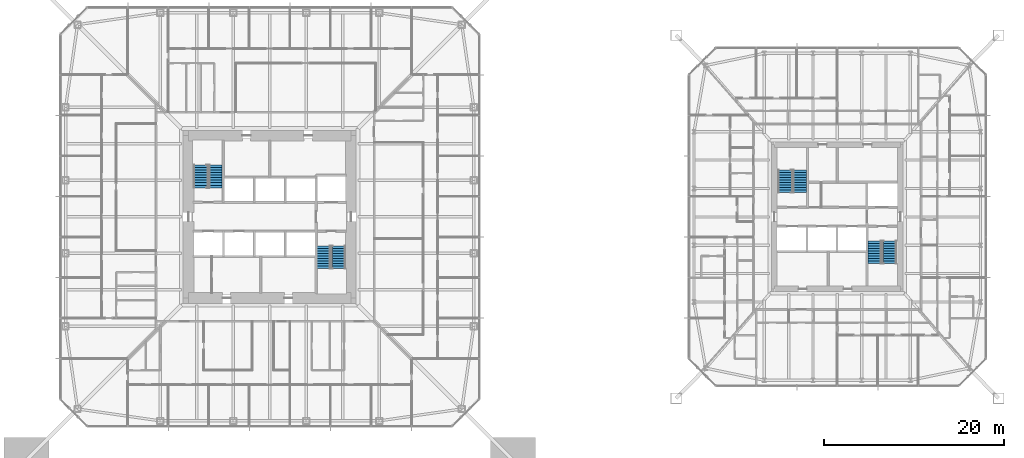
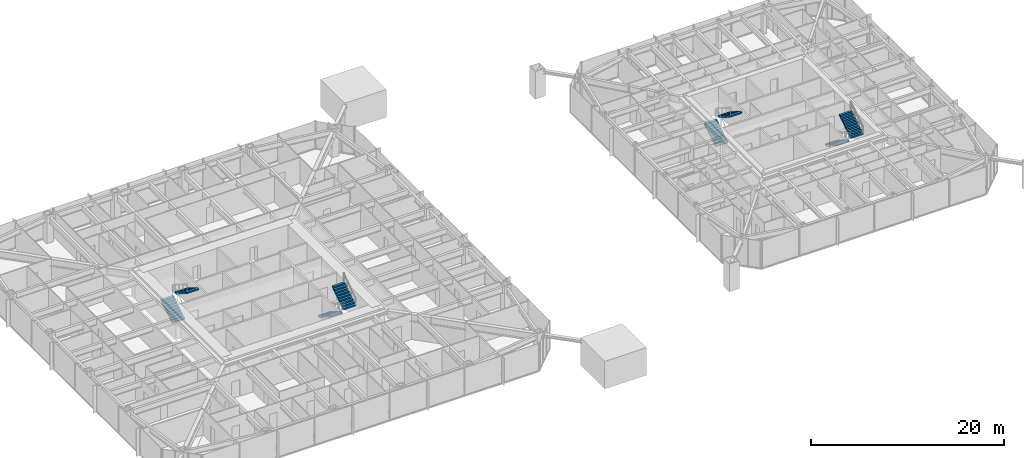
# One storey, part 22 of 26: 8 stair flights, 4 elements without a shape of their own.
"""IFC4 building model written with IfcOpenShell, lengths in metres."""

from ifc_helpers import new_model, si_unit, direction, frame, origin, place, context, subcontext, project, spatial, polyline, outline, extrude, material, constituent, constituent_set, type_object, element, aggregate, save


model = new_model("IFC4")

# Units and contexts
model_context = context("Model", 3, precision=1e-05, world=origin(), true_north=direction((0.0, 1.0)))
body_context = subcontext(model_context, "Body", "Model", "MODEL_VIEW")
ifc_project = project(units=[si_unit("LENGTHUNIT", "METRE"), si_unit("AREAUNIT", "SQUARE_METRE"), si_unit("VOLUMEUNIT", "CUBIC_METRE"), si_unit("PLANEANGLEUNIT", "RADIAN"), si_unit("MASSUNIT", "GRAM", prefix="KILO")], contexts=[model_context])

# Site, building, storey
site_placement = place(None, origin())
site = spatial("IfcSite", under=ifc_project, at=site_placement, CompositionType="ELEMENT")
building_placement = place(site_placement, origin())
building = spatial("IfcBuilding", under=site, at=building_placement, Name="Iwan Alto Co-Living Towers", CompositionType="ELEMENT")
storey_placement = place(building_placement, frame((0.0, 0.0, 46.5)))
storey = spatial("IfcBuildingStorey", under=building, at=storey_placement, Name="L12", CompositionType="ELEMENT", Elevation=46.5)

# Stair, stair flights
ifc_material_1 = material(Name="Steel ASTM A36", Category="steel")
ifc_constituent_1 = constituent(ifc_material_1, Name="Stringers", Category="LoadBearing")
ifc_material_2 = material(Name="Concrete f'c 30 MPa", Category="concrete")
ifc_constituent_2 = constituent(ifc_material_2, Name="Tread fill", Category="Finish")
ifc_constituent_set_1 = constituent_set(constituents=[ifc_constituent_1, ifc_constituent_2], Name="STAIR 3500 TWO-FLIGHT T1 CORE")
stair_type_1 = type_object("IfcStairType", Name="STAIR 3500 TWO-FLIGHT T1 CORE", PredefinedType="HALF_TURN_STAIR", material=ifc_constituent_set_1)
stair_1_placement = place(storey_placement, origin())
stair_1 = element("IfcStair", 1, at=stair_1_placement, inside=storey, type_object=stair_type_1, Name="Stair T1-S1 L12 to L13", PredefinedType="HALF_TURN_STAIR")
ifc_constituent_3 = constituent(ifc_material_1, Name="Stringers", Category="LoadBearing")
ifc_constituent_4 = constituent(ifc_material_2, Name="Tread fill", Category="Finish")
ifc_constituent_set_2 = constituent_set(constituents=[ifc_constituent_3, ifc_constituent_4], Name="STAIR FLIGHT 10 RISERS 280 GOING")
stair_flight_type = type_object("IfcStairFlightType", Name="STAIR FLIGHT 10 RISERS 280 GOING", PredefinedType="STRAIGHT", material=ifc_constituent_set_2)
stair_flight_1_placement = place(storey_placement, frame((-7.68994140625, 3.219970703125, 0.0), z_axis=(0.0, 0.0, 1.0), x_axis=(0.0, 1.0, 0.0)))
stair_flight_1 = element("IfcStairFlight", 2, at=stair_flight_1_placement, type_object=stair_flight_type, Name="T1-S1 flight 1", NumberOfRisers=10, NumberOfTreads=9, PredefinedType="STRAIGHT", RiserHeight=0.175, TreadLength=0.28, context=body_context, shape_type="SweptSolid", body=[
    extrude(outline(polyline([(0.0, 0.0), (0.0, 0.175048828125), (0.280029296875, 0.175048828125), (0.280029296875, 0.35009765625), (0.56005859375, 0.35009765625), (0.56005859375, 0.52490234375), (0.840087890625, 0.52490234375), (0.840087890625, 0.699951171875), (1.1201171875, 0.699951171875), (1.1201171875, 0.875), (1.39990234375, 0.875), (1.39990234375, 1.050048828125), (1.679931640625, 1.050048828125), (1.679931640625, 1.22509765625), (1.9599609375, 1.22509765625), (1.9599609375, 1.39990234375), (2.239990234375, 1.39990234375), (2.239990234375, 1.574951171875), (2.52001953125, 1.574951171875), (2.52001953125, 1.75), (2.52001953125, 1.398193359375), (0.28271484375, 0.0), (0.0, 0.0)])), frame((0.0, 0.739990234375, 0.0), z_axis=(0.0, -1.0, 0.0), x_axis=(1.0, 0.0, 0.0)), (0.0, 0.0, 1.0), 1.47998046875),
])
stair_flight_2_placement = place(storey_placement, frame((-6.010009765625, 5.739990234375, 1.75), z_axis=(0.0, 0.0, 1.0), x_axis=(0.0, -1.0, 0.0)))
stair_flight_2 = element("IfcStairFlight", 3, at=stair_flight_2_placement, type_object=stair_flight_type, Name="T1-S1 flight 2", NumberOfRisers=10, NumberOfTreads=9, PredefinedType="STRAIGHT", RiserHeight=0.175, TreadLength=0.28, context=body_context, shape_type="SweptSolid", body=[
    extrude(outline(polyline([(0.0, 0.0), (0.0, 0.175048828125), (0.280029296875, 0.175048828125), (0.280029296875, 0.35009765625), (0.56005859375, 0.35009765625), (0.56005859375, 0.52490234375), (0.840087890625, 0.52490234375), (0.840087890625, 0.699951171875), (1.1201171875, 0.699951171875), (1.1201171875, 0.875), (1.39990234375, 0.875), (1.39990234375, 1.050048828125), (1.679931640625, 1.050048828125), (1.679931640625, 1.22509765625), (1.9599609375, 1.22509765625), (1.9599609375, 1.39990234375), (2.239990234375, 1.39990234375), (2.239990234375, 1.574951171875), (2.52001953125, 1.574951171875), (2.52001953125, 1.75), (2.52001953125, 1.398193359375), (0.28271484375, 0.0), (0.0, 0.0)])), frame((0.0, 0.739990234375, 0.0), z_axis=(0.0, -1.0, 0.0), x_axis=(1.0, 0.0, 0.0)), (0.0, 0.0, 1.0), 1.47998046875),
])
aggregate(stair_1, [stair_flight_1, stair_flight_2])

stair_2_placement = place(storey_placement, origin())
stair_2 = element("IfcStair", 4, at=stair_2_placement, inside=storey, type_object=stair_type_1, Name="Stair T1-S2 L12 to L13", PredefinedType="HALF_TURN_STAIR")
stair_flight_3_placement = place(storey_placement, frame((6.010009765625, -3.219970703125, 0.0), z_axis=(0.0, 0.0, 1.0), x_axis=(0.0, -1.0, 0.0)))
stair_flight_3 = element("IfcStairFlight", 5, at=stair_flight_3_placement, type_object=stair_flight_type, Name="T1-S2 flight 1", NumberOfRisers=10, NumberOfTreads=9, PredefinedType="STRAIGHT", RiserHeight=0.175, TreadLength=0.28, context=body_context, shape_type="SweptSolid", body=[
    extrude(outline(polyline([(0.0, 0.0), (0.0, 0.175048828125), (0.280029296875, 0.175048828125), (0.280029296875, 0.35009765625), (0.56005859375, 0.35009765625), (0.56005859375, 0.52490234375), (0.840087890625, 0.52490234375), (0.840087890625, 0.699951171875), (1.1201171875, 0.699951171875), (1.1201171875, 0.875), (1.39990234375, 0.875), (1.39990234375, 1.050048828125), (1.679931640625, 1.050048828125), (1.679931640625, 1.22509765625), (1.9599609375, 1.22509765625), (1.9599609375, 1.39990234375), (2.239990234375, 1.39990234375), (2.239990234375, 1.574951171875), (2.52001953125, 1.574951171875), (2.52001953125, 1.75), (2.52001953125, 1.398193359375), (0.28271484375, 0.0), (0.0, 0.0)])), frame((0.0, 0.739990234375, 0.0), z_axis=(0.0, -1.0, 0.0), x_axis=(1.0, 0.0, 0.0)), (0.0, 0.0, 1.0), 1.47998046875),
])
stair_flight_4_placement = place(storey_placement, frame((7.68994140625, -5.739990234375, 1.75), z_axis=(0.0, 0.0, 1.0), x_axis=(0.0, 1.0, 0.0)))
stair_flight_4 = element("IfcStairFlight", 6, at=stair_flight_4_placement, type_object=stair_flight_type, Name="T1-S2 flight 2", NumberOfRisers=10, NumberOfTreads=9, PredefinedType="STRAIGHT", RiserHeight=0.175, TreadLength=0.28, context=body_context, shape_type="SweptSolid", body=[
    extrude(outline(polyline([(0.0, 0.0), (0.0, 0.175048828125), (0.280029296875, 0.175048828125), (0.280029296875, 0.35009765625), (0.56005859375, 0.35009765625), (0.56005859375, 0.52490234375), (0.840087890625, 0.52490234375), (0.840087890625, 0.699951171875), (1.1201171875, 0.699951171875), (1.1201171875, 0.875), (1.39990234375, 0.875), (1.39990234375, 1.050048828125), (1.679931640625, 1.050048828125), (1.679931640625, 1.22509765625), (1.9599609375, 1.22509765625), (1.9599609375, 1.39990234375), (2.239990234375, 1.39990234375), (2.239990234375, 1.574951171875), (2.52001953125, 1.574951171875), (2.52001953125, 1.75), (2.52001953125, 1.398193359375), (0.28271484375, 0.0), (0.0, 0.0)])), frame((0.0, 0.739990234375, 0.0), z_axis=(0.0, -1.0, 0.0), x_axis=(1.0, 0.0, 0.0)), (0.0, 0.0, 1.0), 1.47998046875),
])
aggregate(stair_2, [stair_flight_3, stair_flight_4])

ifc_constituent_5 = constituent(ifc_material_1, Name="Stringers", Category="LoadBearing")
ifc_constituent_6 = constituent(ifc_material_2, Name="Tread fill", Category="Finish")
ifc_constituent_set_3 = constituent_set(constituents=[ifc_constituent_5, ifc_constituent_6], Name="STAIR 3500 TWO-FLIGHT T2 CORE")
stair_type_2 = type_object("IfcStairType", Name="STAIR 3500 TWO-FLIGHT T2 CORE", PredefinedType="HALF_TURN_STAIR", material=ifc_constituent_set_3)
stair_3_placement = place(storey_placement, origin())
stair_3 = element("IfcStair", 7, at=stair_3_placement, inside=storey, type_object=stair_type_2, Name="Stair T2-S1 L12 to L13", PredefinedType="HALF_TURN_STAIR")
stair_flight_5_placement = place(storey_placement, frame((57.159912109375, 2.669921875, 0.0), z_axis=(0.0, 0.0, 1.0), x_axis=(0.0, 1.0, 0.0)))
stair_flight_5 = element("IfcStairFlight", 8, at=stair_flight_5_placement, type_object=stair_flight_type, Name="T2-S1 flight 1", NumberOfRisers=10, NumberOfTreads=9, PredefinedType="STRAIGHT", RiserHeight=0.175, TreadLength=0.28, context=body_context, shape_type="SweptSolid", body=[
    extrude(outline(polyline([(0.0, 0.0), (0.0, 0.175048828125), (0.280029296875, 0.175048828125), (0.280029296875, 0.35009765625), (0.56005859375, 0.35009765625), (0.56005859375, 0.52490234375), (0.840087890625, 0.52490234375), (0.840087890625, 0.699951171875), (1.1201171875, 0.699951171875), (1.1201171875, 0.875), (1.39990234375, 0.875), (1.39990234375, 1.050048828125), (1.679931640625, 1.050048828125), (1.679931640625, 1.22509765625), (1.9599609375, 1.22509765625), (1.9599609375, 1.39990234375), (2.239990234375, 1.39990234375), (2.239990234375, 1.574951171875), (2.52001953125, 1.574951171875), (2.52001953125, 1.75), (2.52001953125, 1.398193359375), (0.28271484375, 0.0), (0.0, 0.0)])), frame((0.0, 0.739990234375, 0.0), z_axis=(0.0, -1.0, 0.0), x_axis=(1.0, 0.0, 0.0)), (0.0, 0.0, 1.0), 1.47998046875),
])
stair_flight_6_placement = place(storey_placement, frame((58.840087890625, 5.18994140625, 1.75), z_axis=(0.0, 0.0, 1.0), x_axis=(0.0, -1.0, 0.0)))
stair_flight_6 = element("IfcStairFlight", 9, at=stair_flight_6_placement, type_object=stair_flight_type, Name="T2-S1 flight 2", NumberOfRisers=10, NumberOfTreads=9, PredefinedType="STRAIGHT", RiserHeight=0.175, TreadLength=0.28, context=body_context, shape_type="SweptSolid", body=[
    extrude(outline(polyline([(0.0, 0.0), (0.0, 0.175048828125), (0.280029296875, 0.175048828125), (0.280029296875, 0.35009765625), (0.56005859375, 0.35009765625), (0.56005859375, 0.52490234375), (0.840087890625, 0.52490234375), (0.840087890625, 0.699951171875), (1.1201171875, 0.699951171875), (1.1201171875, 0.875), (1.39990234375, 0.875), (1.39990234375, 1.050048828125), (1.679931640625, 1.050048828125), (1.679931640625, 1.22509765625), (1.9599609375, 1.22509765625), (1.9599609375, 1.39990234375), (2.239990234375, 1.39990234375), (2.239990234375, 1.574951171875), (2.52001953125, 1.574951171875), (2.52001953125, 1.75), (2.52001953125, 1.398193359375), (0.28271484375, 0.0), (0.0, 0.0)])), frame((0.0, 0.739990234375, 0.0), z_axis=(0.0, -1.0, 0.0), x_axis=(1.0, 0.0, 0.0)), (0.0, 0.0, 1.0), 1.47998046875),
])
aggregate(stair_3, [stair_flight_5, stair_flight_6])

stair_4_placement = place(storey_placement, origin())
stair_4 = element("IfcStair", 10, at=stair_4_placement, inside=storey, type_object=stair_type_2, Name="Stair T2-S2 L12 to L13", PredefinedType="HALF_TURN_STAIR")
stair_flight_7_placement = place(storey_placement, frame((67.159912109375, -2.669921875, 0.0), z_axis=(0.0, 0.0, 1.0), x_axis=(0.0, -1.0, 0.0)))
stair_flight_7 = element("IfcStairFlight", 11, at=stair_flight_7_placement, type_object=stair_flight_type, Name="T2-S2 flight 1", NumberOfRisers=10, NumberOfTreads=9, PredefinedType="STRAIGHT", RiserHeight=0.175, TreadLength=0.28, context=body_context, shape_type="SweptSolid", body=[
    extrude(outline(polyline([(0.0, 0.0), (0.0, 0.175048828125), (0.280029296875, 0.175048828125), (0.280029296875, 0.35009765625), (0.56005859375, 0.35009765625), (0.56005859375, 0.52490234375), (0.840087890625, 0.52490234375), (0.840087890625, 0.699951171875), (1.1201171875, 0.699951171875), (1.1201171875, 0.875), (1.39990234375, 0.875), (1.39990234375, 1.050048828125), (1.679931640625, 1.050048828125), (1.679931640625, 1.22509765625), (1.9599609375, 1.22509765625), (1.9599609375, 1.39990234375), (2.239990234375, 1.39990234375), (2.239990234375, 1.574951171875), (2.52001953125, 1.574951171875), (2.52001953125, 1.75), (2.52001953125, 1.398193359375), (0.28271484375, 0.0), (0.0, 0.0)])), frame((0.0, 0.739990234375, 0.0), z_axis=(0.0, -1.0, 0.0), x_axis=(1.0, 0.0, 0.0)), (0.0, 0.0, 1.0), 1.47998046875),
])
stair_flight_8_placement = place(storey_placement, frame((68.840087890625, -5.18994140625, 1.75), z_axis=(0.0, 0.0, 1.0), x_axis=(0.0, 1.0, 0.0)))
stair_flight_8 = element("IfcStairFlight", 12, at=stair_flight_8_placement, type_object=stair_flight_type, Name="T2-S2 flight 2", NumberOfRisers=10, NumberOfTreads=9, PredefinedType="STRAIGHT", RiserHeight=0.175, TreadLength=0.28, context=body_context, shape_type="SweptSolid", body=[
    extrude(outline(polyline([(0.0, 0.0), (0.0, 0.175048828125), (0.280029296875, 0.175048828125), (0.280029296875, 0.35009765625), (0.56005859375, 0.35009765625), (0.56005859375, 0.52490234375), (0.840087890625, 0.52490234375), (0.840087890625, 0.699951171875), (1.1201171875, 0.699951171875), (1.1201171875, 0.875), (1.39990234375, 0.875), (1.39990234375, 1.050048828125), (1.679931640625, 1.050048828125), (1.679931640625, 1.22509765625), (1.9599609375, 1.22509765625), (1.9599609375, 1.39990234375), (2.239990234375, 1.39990234375), (2.239990234375, 1.574951171875), (2.52001953125, 1.574951171875), (2.52001953125, 1.75), (2.52001953125, 1.398193359375), (0.28271484375, 0.0), (0.0, 0.0)])), frame((0.0, 0.739990234375, 0.0), z_axis=(0.0, -1.0, 0.0), x_axis=(1.0, 0.0, 0.0)), (0.0, 0.0, 1.0), 1.47998046875),
])
aggregate(stair_4, [stair_flight_7, stair_flight_8])

save(model, "model.ifc")
